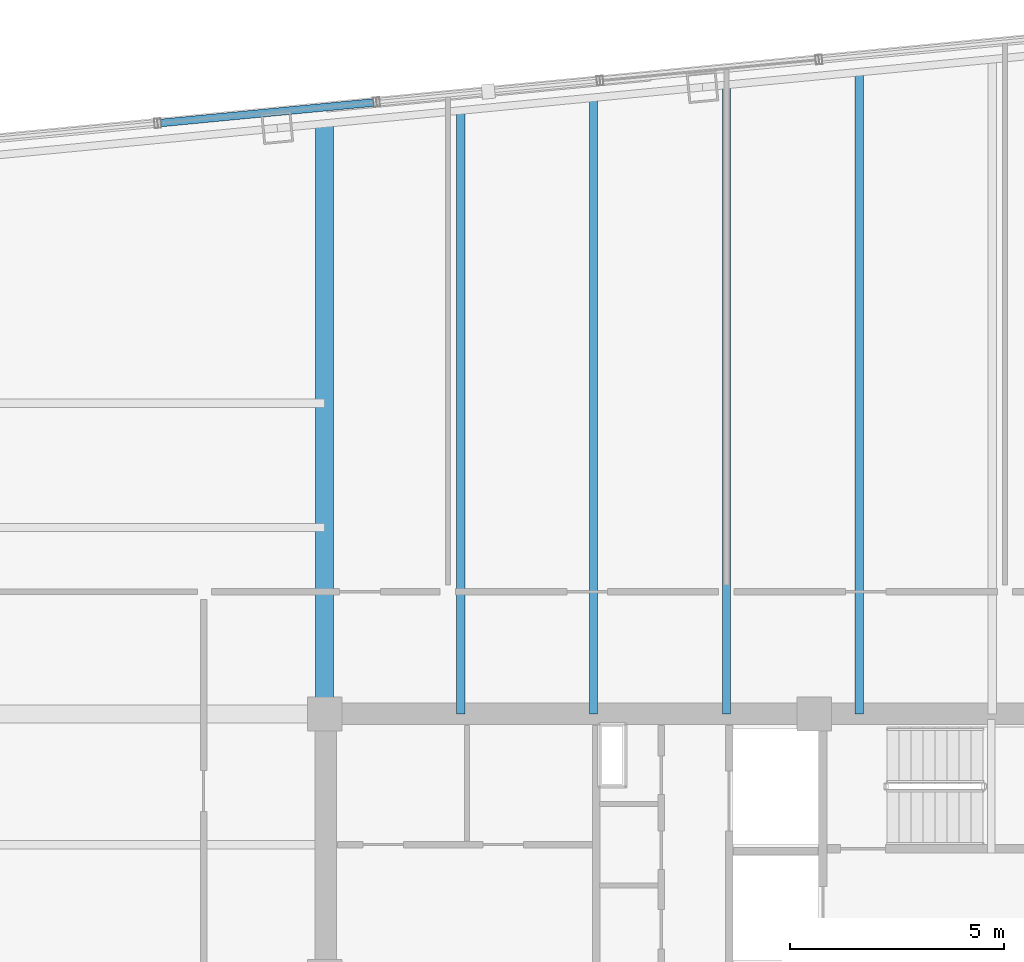
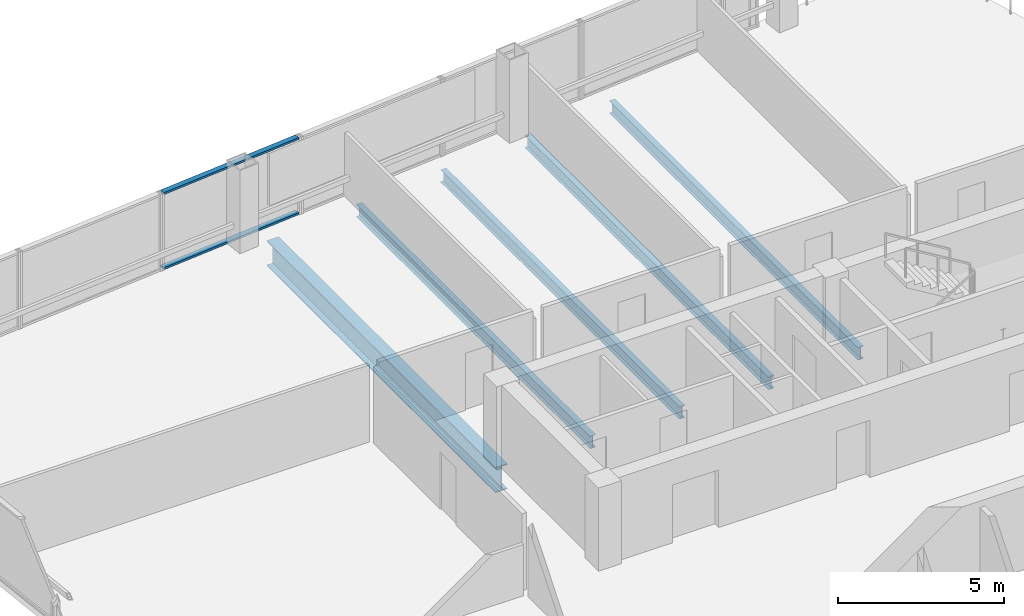
# One storey, part 18 of 29: 5 beams, 2 members, 1 element without a shape of its own.
"""IFC4 building model written with IfcOpenShell, lengths in metres."""

from ifc_helpers import new_model, si_unit, direction, frame, origin, origin_2d, place, context, subcontext, project, spatial, hollow_rectangle, i_section, extrude, material, layer, layer_set, material_profile, profile_set, type_object, element, aggregate, save


model = new_model("IFC4")

# Units and contexts
model_context = context("Model", 3, precision=1e-05, world=origin(), true_north=direction((0.0, 1.0)))
body_context = subcontext(model_context, "Body", "Model", "MODEL_VIEW")
ifc_project = project(units=[si_unit("LENGTHUNIT", "METRE"), si_unit("AREAUNIT", "SQUARE_METRE"), si_unit("VOLUMEUNIT", "CUBIC_METRE"), si_unit("PLANEANGLEUNIT", "RADIAN"), si_unit("MASSUNIT", "GRAM", prefix="KILO")], contexts=[model_context])

# Site, building, storey
site_placement = place(None, origin())
site = spatial("IfcSite", under=ifc_project, at=site_placement, CompositionType="ELEMENT")
building_placement = place(site_placement, origin())
building = spatial("IfcBuilding", under=site, at=building_placement, Name="Qhalaya Broadcast Tower", CompositionType="ELEMENT")
storey_placement = place(building_placement, frame((0.0, 0.0, 177.5)))
storey = spatial("IfcBuildingStorey", under=building, at=storey_placement, Name="L52", CompositionType="ELEMENT", Elevation=177.5)

# Beams
ifc_material_1 = material(Name="Structural Steel ASTM A992 Grade 50", Category="steel")
ifc_material_profile_1 = material_profile(ifc_material_1, i_section(OverallWidth=0.19189453125, OverallDepth=0.462890625, WebThickness=0.010498046875, FlangeThickness=0.017578125, at=origin_2d()), Name="W18X60")
ifc_profile_set_1 = profile_set([ifc_material_profile_1], Name="Structural Steel ASTM A992 Grade 50")
beam_type_1 = type_object("IfcBeamType", Name="Composite Floor Joist J03", PredefinedType="JOIST", material=ifc_profile_set_1)
beam_1_placement = place(storey_placement, frame((-6.199951171875, 9.949951171875, -0.451416015625), z_axis=(0.0, 1.0, 0.0), x_axis=(-1.0, 0.0, 0.0)))
element("IfcBeam", 1, at=beam_1_placement, inside=storey, type_object=beam_type_1, Name="L52 J03 L52-JNN1-1", PredefinedType="JOIST", context=body_context, shape_type="SweptSolid", body=[
    extrude(i_section(OverallWidth=0.19189453125, OverallDepth=0.462890625, WebThickness=0.010498046875, FlangeThickness=0.017578125, at=origin_2d()), origin(), (0.0, 0.0, 1.0), 14.059326171875),
])
beam_2_placement = place(storey_placement, frame((-3.10009765625, 9.949951171875, -0.451416015625), z_axis=(0.0, 1.0, 0.0), x_axis=(-1.0, 0.0, 0.0)))
element("IfcBeam", 2, at=beam_2_placement, inside=storey, type_object=beam_type_1, Name="L52 J03 L52-JNN2-1", PredefinedType="JOIST", context=body_context, shape_type="SweptSolid", body=[
    extrude(i_section(OverallWidth=0.19189453125, OverallDepth=0.462890625, WebThickness=0.010498046875, FlangeThickness=0.017578125, at=origin_2d()), origin(), (0.0, 0.0, 1.0), 14.35791015625),
])
beam_3_placement = place(storey_placement, frame((0.0, 9.949951171875, -0.451416015625), z_axis=(0.0, 1.0, 0.0), x_axis=(-1.0, 0.0, 0.0)))
element("IfcBeam", 3, at=beam_3_placement, inside=storey, type_object=beam_type_1, Name="L52 J03 L52-JNN3-1", PredefinedType="JOIST", context=body_context, shape_type="SweptSolid", body=[
    extrude(i_section(OverallWidth=0.19189453125, OverallDepth=0.462890625, WebThickness=0.010498046875, FlangeThickness=0.017578125, at=origin_2d()), origin(), (0.0, 0.0, 1.0), 14.65625),
])
beam_4_placement = place(storey_placement, frame((3.10009765625, 9.949951171875, -0.451416015625), z_axis=(0.0, 1.0, 0.0), x_axis=(-1.0, 0.0, 0.0)))
element("IfcBeam", 4, at=beam_4_placement, inside=storey, type_object=beam_type_1, Name="L52 J03 L52-JNN4-1", PredefinedType="JOIST", context=body_context, shape_type="SweptSolid", body=[
    extrude(i_section(OverallWidth=0.19189453125, OverallDepth=0.462890625, WebThickness=0.010498046875, FlangeThickness=0.017578125, at=origin_2d()), origin(), (0.0, 0.0, 1.0), 14.954833984375),
])
ifc_material_profile_2 = material_profile(ifc_material_1, i_section(OverallWidth=0.4189453125, OverallDepth=0.927001953125, WebThickness=0.019287109375, FlangeThickness=0.031982421875, at=origin_2d()), Name="W36X231")
ifc_profile_set_2 = profile_set([ifc_material_profile_2], Name="Structural Steel ASTM A992 Grade 50")
beam_type_2 = type_object("IfcBeamType", Name="Mid Block Primary Girder PG3", PredefinedType="USERDEFINED", material=ifc_profile_set_2)
beam_5_placement = place(storey_placement, frame((-9.375, 9.949951171875, -0.68359375), z_axis=(0.0, 1.0, 0.0), x_axis=(-1.0, 0.0, 0.0)))
element("IfcBeam", 5, at=beam_5_placement, inside=storey, type_object=beam_type_2, Name="L52 PG3 L52-PGXN1-1", ObjectType="GIRDER", PredefinedType="USERDEFINED", context=body_context, shape_type="SweptSolid", body=[
    extrude(i_section(OverallWidth=0.4189453125, OverallDepth=0.927001953125, WebThickness=0.019287109375, FlangeThickness=0.031982421875, at=origin_2d()), origin(), (0.0, 0.0, 1.0), 13.753662109375),
])

# Curtain wall, members
ifc_material_2 = material(Name="Solar-Control Low-E Triple Glazing", Category="glass")
ifc_layer = layer(ifc_material_2, 0.219970703125, Name="Solar-Control Low-E Triple Glazing")
ifc_layer_set = layer_set([ifc_layer], Name="Solar-Control Low-E Triple Glazing")
curtain_wall_type = type_object("IfcCurtainWallType", Name="Even-Block 4-Storey Double-Module Curtain Wall CW-03", PredefinedType="NOTDEFINED", material=ifc_layer_set)
curtain_wall_placement = place(storey_placement, origin())
curtain_wall = element("IfcCurtainWall", 6, at=curtain_wall_placement, inside=storey, type_object=curtain_wall_type, Name="L52 Unitised Curtain Wall L52-CW-N5", PredefinedType="NOTDEFINED")
ifc_material_3 = material(Name="Anodised Aluminium 6063-T6", Category="aluminium")
ifc_material_profile_3 = material_profile(ifc_material_3, hollow_rectangle(XDim=0.074951171875, YDim=0.179931640625, WallThickness=0.00390625, at=origin_2d()), Name="ALU-TRN 75x180x4")
ifc_profile_set_3 = profile_set([ifc_material_profile_3], Name="Anodised Aluminium 6063-T6")
member_type = type_object("IfcMemberType", Name="Unitised Curtain-Wall Transom T01", PredefinedType="USERDEFINED", material=ifc_profile_set_3)
member_1_placement = place(storey_placement, frame((-8.236328125, 24.215087890625, 0.03759765625), z_axis=(-0.995398246298, -0.09582448156, 0.0), x_axis=(0.0, 0.0, 1.0)))
member_1 = element("IfcMember", 7, at=member_1_placement, type_object=member_type, Name="CW-03 transom 1.1", ObjectType="TRANSOM", PredefinedType="USERDEFINED", context=body_context, shape_type="SweptSolid", body=[
    extrude(hollow_rectangle(XDim=0.074951171875, YDim=0.179931640625, WallThickness=0.00390625, at=origin_2d()), origin(), (0.0, 0.0, 1.0), 4.98095703125),
])
member_2_placement = place(storey_placement, frame((-8.236328125, 24.215087890625, 2.79248046875), z_axis=(-0.995398246298, -0.09582448156, 0.0), x_axis=(0.0, 0.0, 1.0)))
member_2 = element("IfcMember", 8, at=member_2_placement, type_object=member_type, Name="CW-03 transom 1.2", ObjectType="TRANSOM", PredefinedType="USERDEFINED", context=body_context, shape_type="SweptSolid", body=[
    extrude(hollow_rectangle(XDim=0.074951171875, YDim=0.179931640625, WallThickness=0.00390625, at=origin_2d()), origin(), (0.0, 0.0, 1.0), 4.98095703125),
])
aggregate(curtain_wall, [member_1, member_2])

save(model, "model.ifc")
